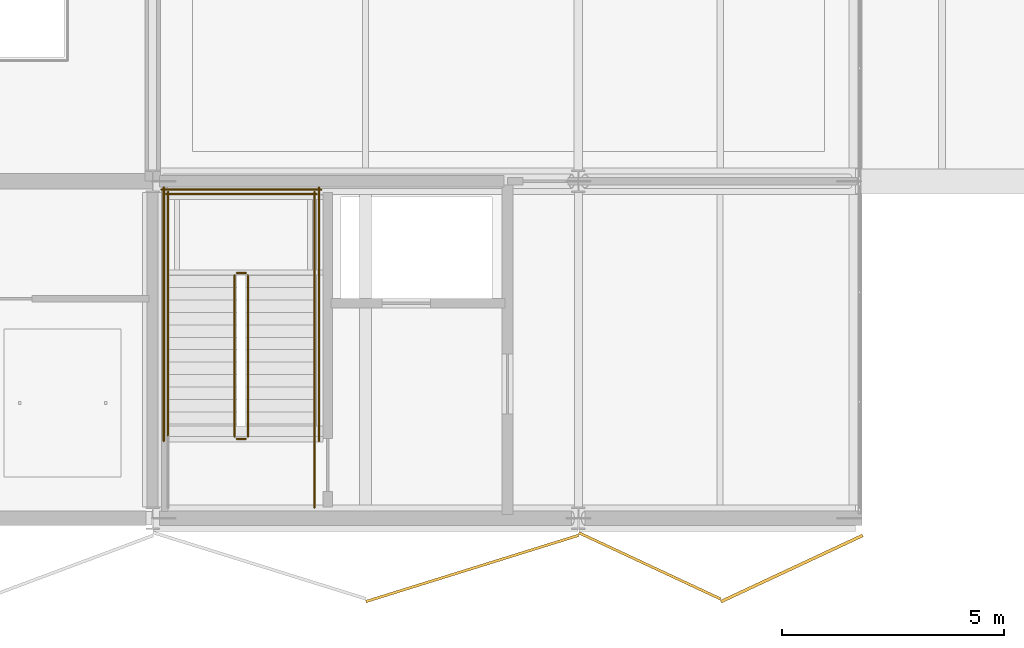
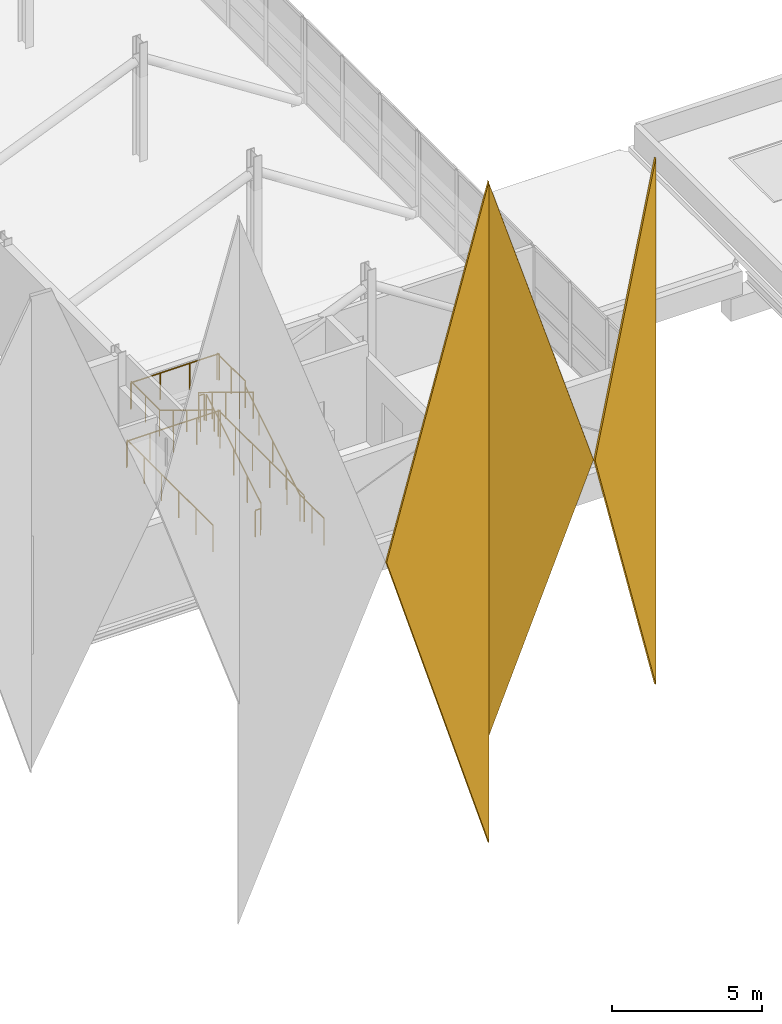
# One storey, part 99 of 107: 13 railings, 3 coverings.
"""IFC4 building model written with IfcOpenShell, lengths in metres."""

from ifc_helpers import new_model, si_unit, direction, frame, origin, origin_2d, place, context, subcontext, project, spatial, polyline, circle, outline, extrude, material, layer, layer_set, type_object, element, save


model = new_model("IFC4")

# Units and contexts
model_context = context("Model", 3, precision=1e-05, world=origin(), true_north=direction((0.0, 1.0)))
body_context = subcontext(model_context, "Body", "Model", "MODEL_VIEW")
ifc_project = project(units=[si_unit("LENGTHUNIT", "METRE"), si_unit("AREAUNIT", "SQUARE_METRE"), si_unit("VOLUMEUNIT", "CUBIC_METRE"), si_unit("PLANEANGLEUNIT", "RADIAN"), si_unit("MASSUNIT", "GRAM", prefix="KILO")], contexts=[model_context])

# Site, building, storey
site_placement = place(None, origin())
site = spatial("IfcSite", under=ifc_project, at=site_placement, CompositionType="ELEMENT")
building_placement = place(site_placement, origin())
building = spatial("IfcBuilding", under=site, at=building_placement, Name="Khelvaren Railside Concert Hall", CompositionType="ELEMENT")
storey_placement = place(building_placement, frame((0.0, 0.0, 15.0)))
storey = spatial("IfcBuildingStorey", under=building, at=storey_placement, Name="L03", CompositionType="ELEMENT", Elevation=15.0)

# Coverings
ifc_material_1 = material(Name="Precast architectural concrete C45/55", Category="concrete")
ifc_layer_1 = layer(ifc_material_1, 0.06005859375)
ifc_layer_set_1 = layer_set([ifc_layer_1], Name="Precast architectural concrete C45/55")
covering_type_1 = type_object("IfcCoveringType", Name="CLD31", PredefinedType="CLADDING", material=ifc_layer_set_1)
covering_1_placement = place(storey_placement, frame((49.60009765625, -0.35498046875, 13.090087890625), z_axis=(-0.297387287433, 0.954756933085, 0.0), x_axis=(0.0, 0.0, -1.0)))
element("IfcCovering", 1, at=covering_1_placement, inside=storey, type_object=covering_type_1, Name="Main Hall Cut-Crystal Flank Facet S-6E", PredefinedType="CLADDING", context=body_context, shape_type="SweptSolid", body=[
    extrude(outline(polyline([(0.0, 0.0), (26.89013671875, 0.0), (12.9072265625, 5.027508742582364), (0.0, 0.0)])), origin(), (0.0, 0.0, -1.0), 0.06005859375),
])
covering_2_placement = place(storey_placement, frame((49.60009765625, -0.35498046875, 13.090087890625), z_axis=(-0.42330545188, -0.905987027726, 0.0), x_axis=(0.0, 0.0, -1.0)))
element("IfcCovering", 2, at=covering_2_placement, inside=storey, type_object=covering_type_1, Name="Main Hall Cut-Crystal Flank Facet S-7W", PredefinedType="CLADDING", context=body_context, shape_type="SweptSolid", body=[
    extrude(outline(polyline([(0.0, 0.0), (22.690185546875, 0.0), (11.56201171875, 3.532005507745153), (0.0, 0.0)])), origin(), (0.0, 0.0, -1.0), 0.06005859375),
])
ifc_material_2 = material(Name="Board-marked precast concrete C45/55", Category="concrete")
ifc_layer_2 = layer(ifc_material_2, 0.070068359375)
ifc_layer_set_2 = layer_set([ifc_layer_2], Name="Board-marked precast concrete C45/55")
covering_type_2 = type_object("IfcCoveringType", Name="CLD68", PredefinedType="CLADDING", material=ifc_layer_set_2)
covering_3_placement = place(storey_placement, frame((56.0, -0.35498046875, 11.800048828125), z_axis=(-0.42330545188, 0.905987027726, 0.0), x_axis=(0.0, 0.0, -1.0)))
element("IfcCovering", 3, at=covering_3_placement, inside=storey, type_object=covering_type_2, Name="Main Hall Cut-Crystal Flank Facet S-7E", PredefinedType="CLADDING", context=body_context, shape_type="SweptSolid", body=[
    extrude(outline(polyline([(0.0, 0.0), (21.400146484375, 0.0), (10.27197265625, 3.532005507745153), (0.0, 0.0)])), origin(), (0.0, 0.0, -1.0), 0.070068359375),
])

# Railings
ifc_material_3 = material(Name="Painted architectural steel", Category="steel")
railing_type_1 = type_object("IfcRailingType", Name="GRD86", PredefinedType="GUARDRAIL", material=ifc_material_3)
railing_1_placement = place(storey_placement, frame((42.14990234375, 1.840087890625, 0.17138671875)))
element("IfcRailing", 4, at=railing_1_placement, inside=storey, type_object=railing_type_1, Name="L03 ST-02 stair guard 1", PredefinedType="GUARDRAIL", context=body_context, shape_type="SweptSolid", body=[
    extrude(circle(Radius=0.02392578125, at=origin_2d()), frame((0.0, 0.0, 1.076171875), z_axis=(0.0, 0.852850264322, 0.5221555579), x_axis=(-1.0, 0.0, 0.0)), (0.0, 0.0, 1.0), 4.267822265625),
    extrude(circle(Radius=0.02099609375, at=origin_2d()), origin(), (0.0, 0.0, 1.0), 1.052001953125),
    extrude(circle(Radius=0.02099609375, at=origin_2d()), frame((0.0, 0.909912109375, 0.55712890625)), (0.0, 0.0, 1.0), 1.052001953125),
    extrude(circle(Radius=0.02099609375, at=origin_2d()), frame((0.0, 1.81982421875, 1.1142578125)), (0.0, 0.0, 1.0), 1.052001953125),
    extrude(circle(Radius=0.02099609375, at=origin_2d()), frame((0.0, 2.72998046875, 1.67138671875)), (0.0, 0.0, 1.0), 1.052001953125),
    extrude(circle(Radius=0.02099609375, at=origin_2d()), frame((0.0, 3.639892578125, 2.228515625)), (0.0, 0.0, 1.0), 1.052001953125),
])
railing_2_placement = place(storey_placement, frame((42.10009765625, 5.530029296875, 2.39990234375)))
element("IfcRailing", 5, at=railing_2_placement, inside=storey, type_object=railing_type_1, Name="L03 ST-02 stair guard 2", PredefinedType="GUARDRAIL", context=body_context, shape_type="SweptSolid", body=[
    extrude(circle(Radius=0.02392578125, at=origin_2d()), frame((0.0, 0.0, 1.076171875), z_axis=(-1.0, 0.0, 0.0), x_axis=(0.0, -1.0, 0.0)), (0.0, 0.0, 1.0), 0.2001953125),
    extrude(circle(Radius=0.02099609375, at=origin_2d()), origin(), (0.0, 0.0, 1.0), 1.052001953125),
    extrude(circle(Radius=0.02099609375, at=origin_2d()), frame((-0.2001953125, 0.0, 0.0)), (0.0, 0.0, 1.0), 1.052001953125),
])
for number, where, name in (
    (6, (43.64990234375, 5.47998046875, 2.39990234375), "L03 ST-02 stair guard 3"),
    (7, (40.35009765625, 5.47998046875, 2.39990234375), "L03 ST-02 stair guard 4"),
):
    element("IfcRailing", number, at=place(storey_placement, frame(where)), inside=storey, type_object=railing_type_1, Name=name, PredefinedType="GUARDRAIL", context=body_context, shape_type="SweptSolid", body=[
        extrude(circle(Radius=0.02392578125, at=origin_2d()), frame((0.0, 0.0, 1.076171875), z_axis=(0.0, 1.0, 0.0), x_axis=(-1.0, 0.0, 0.0)), (0.0, 0.0, 1.0), 1.880126953125),
        extrude(circle(Radius=0.02099609375, at=origin_2d()), origin(), (0.0, 0.0, 1.0), 1.052001953125),
        extrude(circle(Radius=0.02099609375, at=origin_2d()), frame((0.0, 0.93994140625, 0.0)), (0.0, 0.0, 1.0), 1.052001953125),
        extrude(circle(Radius=0.02099609375, at=origin_2d()), frame((0.0, 1.880126953125, 0.0)), (0.0, 0.0, 1.0), 1.052001953125),
    ])
railing_3_placement = place(storey_placement, frame((43.699951171875, 7.31005859375, 2.39990234375)))
element("IfcRailing", 8, at=railing_3_placement, inside=storey, type_object=railing_type_1, Name="L03 ST-02 stair guard 5", PredefinedType="GUARDRAIL", context=body_context, shape_type="SweptSolid", body=[
    extrude(circle(Radius=0.02392578125, at=origin_2d()), frame((0.0, 0.0, 1.076171875), z_axis=(-1.0, 0.0, 0.0), x_axis=(0.0, -1.0, 0.0)), (0.0, 0.0, 1.0), 3.39990234375),
    extrude(circle(Radius=0.02099609375, at=origin_2d()), origin(), (0.0, 0.0, 1.0), 1.052001953125),
    extrude(circle(Radius=0.02099609375, at=origin_2d()), frame((-1.13330078125, 0.0, 0.0)), (0.0, 0.0, 1.0), 1.052001953125),
    extrude(circle(Radius=0.02099609375, at=origin_2d()), frame((-2.2666015625, 0.0, 0.0)), (0.0, 0.0, 1.0), 1.052001953125),
    extrude(circle(Radius=0.02099609375, at=origin_2d()), frame((-3.39990234375, 0.0, 0.0)), (0.0, 0.0, 1.0), 1.052001953125),
])
railing_4_placement = place(storey_placement, frame((41.85009765625, 5.47998046875, 2.571533203125)))
element("IfcRailing", 9, at=railing_4_placement, inside=storey, type_object=railing_type_1, Name="L03 ST-02 stair guard 6", PredefinedType="GUARDRAIL", context=body_context, shape_type="SweptSolid", body=[
    extrude(circle(Radius=0.02392578125, at=origin_2d()), frame((0.0, 0.0, 1.076171875), z_axis=(0.0, -0.852850264322, 0.5221555579), x_axis=(1.0, 0.0, 0.0)), (0.0, 0.0, 1.0), 4.267822265625),
    extrude(circle(Radius=0.02099609375, at=origin_2d()), origin(), (0.0, 0.0, 1.0), 1.052001953125),
    extrude(circle(Radius=0.02099609375, at=origin_2d()), frame((0.0, -0.909912109375, 0.55712890625)), (0.0, 0.0, 1.0), 1.052001953125),
    extrude(circle(Radius=0.02099609375, at=origin_2d()), frame((0.0, -1.81982421875, 1.1142578125)), (0.0, 0.0, 1.0), 1.052001953125),
    extrude(circle(Radius=0.02099609375, at=origin_2d()), frame((0.0, -2.72998046875, 1.67138671875)), (0.0, 0.0, 1.0), 1.052001953125),
    extrude(circle(Radius=0.02099609375, at=origin_2d()), frame((0.0, -3.639892578125, 2.228515625)), (0.0, 0.0, 1.0), 1.052001953125),
])
railing_5_placement = place(storey_placement, frame((42.10009765625, 1.7900390625, 0.0)))
element("IfcRailing", 10, at=railing_5_placement, inside=storey, type_object=railing_type_1, Name="L03 ST-02 stair guard 7", PredefinedType="GUARDRAIL", context=body_context, shape_type="SweptSolid", body=[
    extrude(circle(Radius=0.02392578125, at=origin_2d()), frame((0.0, 0.0, 1.076171875), z_axis=(-1.0, 0.0, 0.0), x_axis=(0.0, -1.0, 0.0)), (0.0, 0.0, 1.0), 0.2001953125),
    extrude(circle(Radius=0.02099609375, at=origin_2d()), origin(), (0.0, 0.0, 1.0), 1.052001953125),
    extrude(circle(Radius=0.02099609375, at=origin_2d()), frame((-0.2001953125, 0.0, 0.0)), (0.0, 0.0, 1.0), 1.052001953125),
])
railing_6_placement = place(storey_placement, frame((43.64990234375, 0.239990234375, 0.0)))
element("IfcRailing", 11, at=railing_6_placement, inside=storey, type_object=railing_type_1, Name="L03 ST-02 stair guard 8", PredefinedType="GUARDRAIL", context=body_context, shape_type="SweptSolid", body=[
    extrude(circle(Radius=0.02392578125, at=origin_2d()), frame((0.0, 0.0, 1.076171875), z_axis=(0.0, 1.0, 0.0), x_axis=(-1.0, 0.0, 0.0)), (0.0, 0.0, 1.0), 1.60009765625),
    extrude(circle(Radius=0.02099609375, at=origin_2d()), origin(), (0.0, 0.0, 1.0), 1.052001953125),
    extrude(circle(Radius=0.02099609375, at=origin_2d()), frame((0.0, 0.800048828125, 0.0)), (0.0, 0.0, 1.0), 1.052001953125),
    extrude(circle(Radius=0.02099609375, at=origin_2d()), frame((0.0, 1.60009765625, 0.0)), (0.0, 0.0, 1.0), 1.052001953125),
])
for number, where, name in (
    (12, (43.75, 1.739990234375, 0.0), "L03 ST-02 stair guard 10"),
    (13, (40.25, 1.739990234375, 0.0), "L03 ST-02 stair guard 11"),
):
    element("IfcRailing", number, at=place(storey_placement, frame(where)), inside=storey, type_object=railing_type_1, Name=name, PredefinedType="GUARDRAIL", context=body_context, shape_type="SweptSolid", body=[
        extrude(circle(Radius=0.02392578125, at=origin_2d()), frame((0.0, 0.0, 1.076171875), z_axis=(0.0, 1.0, 0.0), x_axis=(-1.0, 0.0, 0.0)), (0.0, 0.0, 1.0), 5.719970703125),
        extrude(circle(Radius=0.02099609375, at=origin_2d()), origin(), (0.0, 0.0, 1.0), 1.052001953125),
        extrude(circle(Radius=0.02099609375, at=origin_2d()), frame((0.0, 1.14404296875, 0.0)), (0.0, 0.0, 1.0), 1.052001953125),
        extrude(circle(Radius=0.02099609375, at=origin_2d()), frame((0.0, 2.2880859375, 0.0)), (0.0, 0.0, 1.0), 1.052001953125),
        extrude(circle(Radius=0.02099609375, at=origin_2d()), frame((0.0, 3.431884765625, 0.0)), (0.0, 0.0, 1.0), 1.052001953125),
        extrude(circle(Radius=0.02099609375, at=origin_2d()), frame((0.0, 4.575927734375, 0.0)), (0.0, 0.0, 1.0), 1.052001953125),
        extrude(circle(Radius=0.02099609375, at=origin_2d()), frame((0.0, 5.719970703125, 0.0)), (0.0, 0.0, 1.0), 1.052001953125),
    ])
railing_7_placement = place(storey_placement, frame((43.800048828125, 7.409912109375, 0.0)))
element("IfcRailing", 14, at=railing_7_placement, inside=storey, type_object=railing_type_1, Name="L03 ST-02 stair guard 12", PredefinedType="GUARDRAIL", context=body_context, shape_type="SweptSolid", body=[
    extrude(circle(Radius=0.02392578125, at=origin_2d()), frame((0.0, 0.0, 1.076171875), z_axis=(-1.0, 0.0, 0.0), x_axis=(0.0, -1.0, 0.0)), (0.0, 0.0, 1.0), 3.60009765625),
    extrude(circle(Radius=0.02099609375, at=origin_2d()), origin(), (0.0, 0.0, 1.0), 1.052001953125),
    extrude(circle(Radius=0.02099609375, at=origin_2d()), frame((-0.89990234375, 0.0, 0.0)), (0.0, 0.0, 1.0), 1.052001953125),
    extrude(circle(Radius=0.02099609375, at=origin_2d()), frame((-1.800048828125, 0.0, 0.0)), (0.0, 0.0, 1.0), 1.052001953125),
    extrude(circle(Radius=0.02099609375, at=origin_2d()), frame((-2.7001953125, 0.0, 0.0)), (0.0, 0.0, 1.0), 1.052001953125),
    extrude(circle(Radius=0.02099609375, at=origin_2d()), frame((-3.60009765625, 0.0, 0.0)), (0.0, 0.0, 1.0), 1.052001953125),
])
ifc_material_4 = material(Name="Brushed stainless steel Grade 316", Category="steel")
railing_type_2 = type_object("IfcRailingType", Name="HRL59", PredefinedType="HANDRAIL", material=ifc_material_4)
railing_8_placement = place(storey_placement, frame((43.64990234375, 1.840087890625, 0.17138671875)))
element("IfcRailing", 15, at=railing_8_placement, inside=storey, type_object=railing_type_2, Name="L03 ST-02 stair handrail 1", PredefinedType="HANDRAIL", context=body_context, shape_type="SweptSolid", body=[
    extrude(circle(Radius=0.02392578125, at=origin_2d()), frame((0.0, 0.0, 0.8759765625), z_axis=(0.0, 0.852850264322, 0.5221555579), x_axis=(-1.0, 0.0, 0.0)), (0.0, 0.0, 1.0), 4.267822265625),
    extrude(circle(Radius=0.02099609375, at=origin_2d()), origin(), (0.0, 0.0, 1.0), 0.851806640625),
    extrude(circle(Radius=0.02099609375, at=origin_2d()), frame((0.0, 0.909912109375, 0.55712890625)), (0.0, 0.0, 1.0), 0.851806640625),
    extrude(circle(Radius=0.02099609375, at=origin_2d()), frame((0.0, 1.81982421875, 1.1142578125)), (0.0, 0.0, 1.0), 0.851806640625),
    extrude(circle(Radius=0.02099609375, at=origin_2d()), frame((0.0, 2.72998046875, 1.67138671875)), (0.0, 0.0, 1.0), 0.851806640625),
    extrude(circle(Radius=0.02099609375, at=origin_2d()), frame((0.0, 3.639892578125, 2.228515625)), (0.0, 0.0, 1.0), 0.851806640625),
])
railing_9_placement = place(storey_placement, frame((40.35009765625, 5.47998046875, 2.571533203125)))
element("IfcRailing", 16, at=railing_9_placement, inside=storey, type_object=railing_type_2, Name="L03 ST-02 stair handrail 2", PredefinedType="HANDRAIL", context=body_context, shape_type="SweptSolid", body=[
    extrude(circle(Radius=0.02392578125, at=origin_2d()), frame((0.0, 0.0, 0.8759765625), z_axis=(0.0, -0.852850264322, 0.5221555579), x_axis=(1.0, 0.0, 0.0)), (0.0, 0.0, 1.0), 4.267822265625),
    extrude(circle(Radius=0.02099609375, at=origin_2d()), origin(), (0.0, 0.0, 1.0), 0.851806640625),
    extrude(circle(Radius=0.02099609375, at=origin_2d()), frame((0.0, -0.909912109375, 0.55712890625)), (0.0, 0.0, 1.0), 0.851806640625),
    extrude(circle(Radius=0.02099609375, at=origin_2d()), frame((0.0, -1.81982421875, 1.1142578125)), (0.0, 0.0, 1.0), 0.851806640625),
    extrude(circle(Radius=0.02099609375, at=origin_2d()), frame((0.0, -2.72998046875, 1.67138671875)), (0.0, 0.0, 1.0), 0.851806640625),
    extrude(circle(Radius=0.02099609375, at=origin_2d()), frame((0.0, -3.639892578125, 2.228515625)), (0.0, 0.0, 1.0), 0.851806640625),
])

save(model, "model.ifc")
